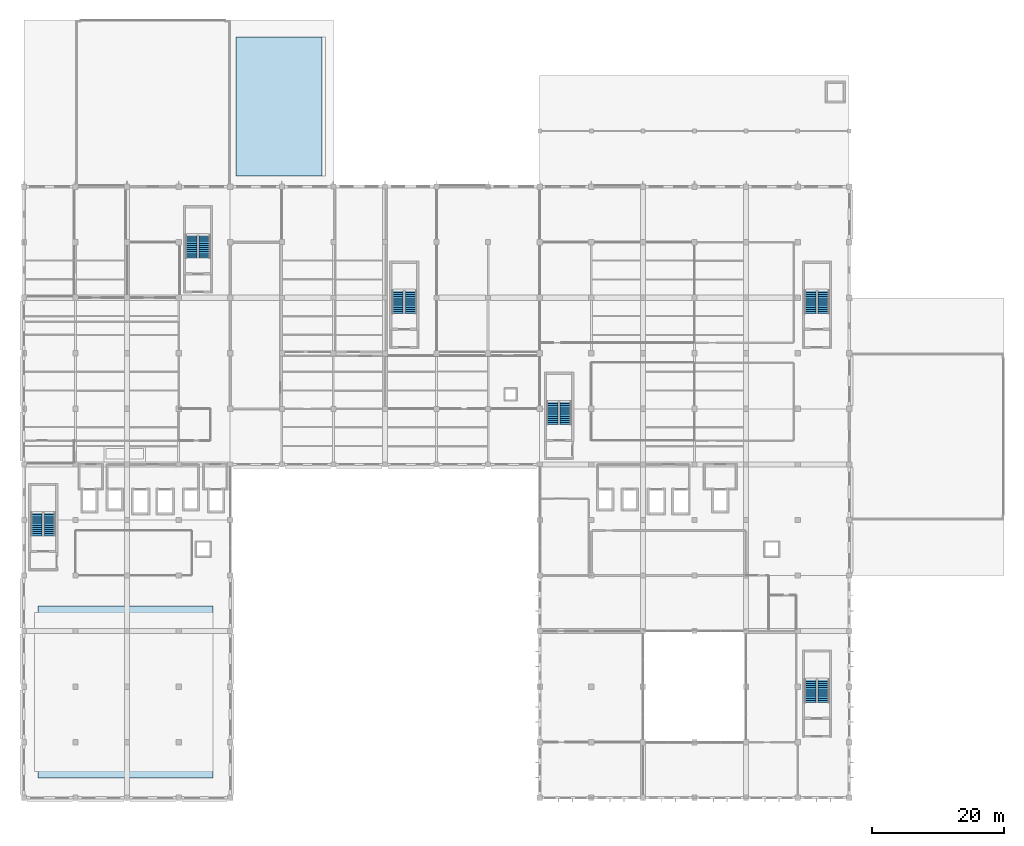
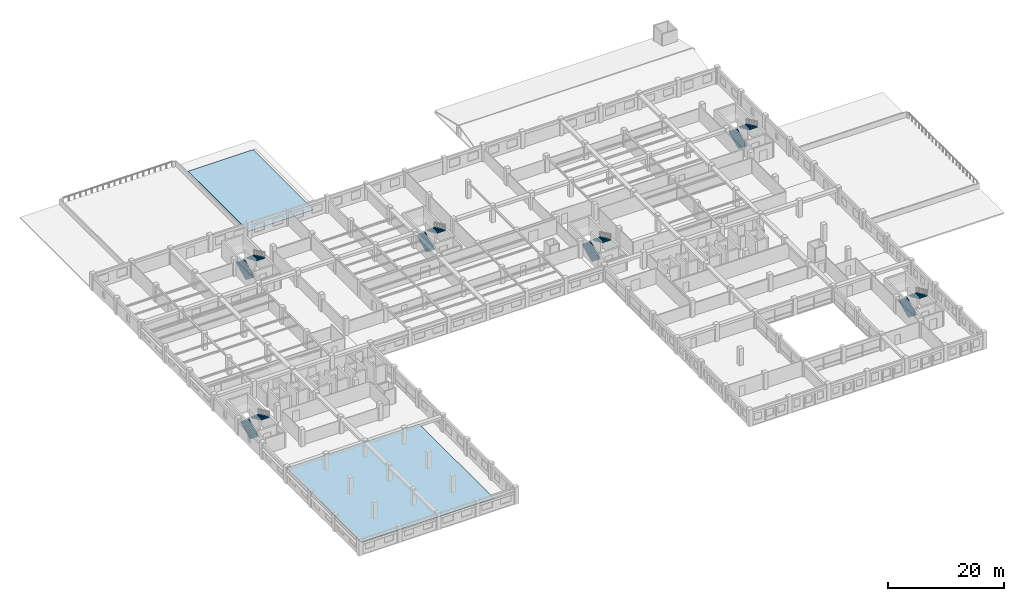
# One storey, part 47 of 50: 12 stair flights, 2 roofs, 6 elements without a shape of their own.
"""IFC4 building model written with IfcOpenShell, lengths in metres."""

from ifc_helpers import new_model, si_unit, direction, frame, origin, place, context, subcontext, project, spatial, polyline, outline, extrude, material, layer, layer_set, type_object, element, aggregate, save


model = new_model("IFC4")

# Units and contexts
model_context = context("Model", 3, precision=1e-05, world=origin(), true_north=direction((0.0, 1.0)))
body_context = subcontext(model_context, "Body", "Model", "MODEL_VIEW")
ifc_project = project(units=[si_unit("LENGTHUNIT", "METRE"), si_unit("AREAUNIT", "SQUARE_METRE"), si_unit("VOLUMEUNIT", "CUBIC_METRE"), si_unit("PLANEANGLEUNIT", "RADIAN"), si_unit("MASSUNIT", "GRAM", prefix="KILO"), si_unit("THERMODYNAMICTEMPERATUREUNIT", "KELVIN"), si_unit("POWERUNIT", "WATT")], contexts=[model_context])

# Site, building, storey
site_placement = place(None, origin())
site = spatial("IfcSite", under=ifc_project, at=site_placement, CompositionType="ELEMENT")
building_placement = place(site_placement, origin())
building = spatial("IfcBuilding", under=site, at=building_placement, Name="Srebrne Nadtorze General Hospital", CompositionType="ELEMENT")
storey_placement = place(building_placement, frame((0.0, 0.0, 14.39990234375)))
storey = spatial("IfcBuildingStorey", under=building, at=storey_placement, Name="L03", CompositionType="ELEMENT", Elevation=14.39990234375)

# Stair, stair flights
ifc_material_1 = material(Name="Concrete C35/45", Category="concrete")
stair_type = type_object("IfcStairType", Name="Dog-leg escape stair 360", PredefinedType="HALF_TURN_STAIR", material=ifc_material_1)
stair_1_placement = place(storey_placement, origin())
stair_1 = element("IfcStair", 1, at=stair_1_placement, inside=storey, type_object=stair_type, Name="Escape stair ST-01-L03", PredefinedType="HALF_TURN_STAIR")
ifc_material_2 = material(Name="Concrete C35/45", Category="concrete")
stair_flight_type = type_object("IfcStairFlightType", Name="Reinforced concrete stair flight 12R", PredefinedType="STRAIGHT", material=ifc_material_2)
stair_flight_1_placement = place(storey_placement, frame((25.300048828125, 39.60009765625, 0.0), z_axis=(0.0, 0.0, 1.0), x_axis=(0.0, 1.0, 0.0)))
stair_flight_1 = element("IfcStairFlight", 2, at=stair_flight_1_placement, type_object=stair_flight_type, Name="ST-01 flight 1", NumberOfRisers=12, NumberOfTreads=11, PredefinedType="STRAIGHT", RiserHeight=0.15, TreadLength=0.32, context=body_context, shape_type="SweptSolid", body=[
    extrude(outline(polyline([(0.0, 0.0), (0.0, 0.14990234375), (0.320068359375, 0.14990234375), (0.320068359375, 0.300048828125), (0.639892578125, 0.300048828125), (0.639892578125, 0.449951171875), (0.9599609375, 0.449951171875), (0.9599609375, 0.60009765625), (1.280029296875, 0.60009765625), (1.280029296875, 0.75), (1.60009765625, 0.75), (1.60009765625, 0.89990234375), (1.919921875, 0.89990234375), (1.919921875, 1.050048828125), (2.239990234375, 1.050048828125), (2.239990234375, 1.199951171875), (2.56005859375, 1.199951171875), (2.56005859375, 1.35009765625), (2.8798828125, 1.35009765625), (2.8798828125, 1.5), (3.199951171875, 1.5), (3.199951171875, 1.64990234375), (3.52001953125, 1.64990234375), (3.52001953125, 1.800048828125), (3.52001953125, 1.451171875), (0.423828125, 0.0), (0.0, 0.0)])), frame((0.0, 0.85009765625, 0.0), z_axis=(0.0, -1.0, 0.0), x_axis=(1.0, 0.0, 0.0)), (0.0, 0.0, 1.0), 1.699951171875),
])
stair_flight_2_placement = place(storey_placement, frame((27.35009765625, 43.1201171875, 1.800048828125), z_axis=(0.0, 0.0, 1.0), x_axis=(0.0, -1.0, 0.0)))
stair_flight_2 = element("IfcStairFlight", 3, at=stair_flight_2_placement, type_object=stair_flight_type, Name="ST-01 flight 2", NumberOfRisers=12, NumberOfTreads=11, PredefinedType="STRAIGHT", RiserHeight=0.15, TreadLength=0.32, context=body_context, shape_type="SweptSolid", body=[
    extrude(outline(polyline([(0.0, 0.0), (0.0, 0.14990234375), (0.320068359375, 0.14990234375), (0.320068359375, 0.300048828125), (0.639892578125, 0.300048828125), (0.639892578125, 0.449951171875), (0.9599609375, 0.449951171875), (0.9599609375, 0.60009765625), (1.280029296875, 0.60009765625), (1.280029296875, 0.75), (1.60009765625, 0.75), (1.60009765625, 0.89990234375), (1.919921875, 0.89990234375), (1.919921875, 1.050048828125), (2.239990234375, 1.050048828125), (2.239990234375, 1.199951171875), (2.56005859375, 1.199951171875), (2.56005859375, 1.35009765625), (2.8798828125, 1.35009765625), (2.8798828125, 1.5), (3.199951171875, 1.5), (3.199951171875, 1.64990234375), (3.52001953125, 1.64990234375), (3.52001953125, 1.800048828125), (3.52001953125, 1.451171875), (0.423828125, 0.0), (0.0, 0.0)])), frame((0.0, 0.85009765625, 0.0), z_axis=(0.0, -1.0, 0.0), x_axis=(1.0, 0.0, 0.0)), (0.0, 0.0, 1.0), 1.699951171875),
])
aggregate(stair_1, [stair_flight_1, stair_flight_2])

stair_2_placement = place(storey_placement, origin())
stair_2 = element("IfcStair", 4, at=stair_2_placement, inside=storey, type_object=stair_type, Name="Escape stair ST-02-L03", PredefinedType="HALF_TURN_STAIR")
stair_flight_3_placement = place(storey_placement, frame((48.699951171875, 81.60009765625, 0.0), z_axis=(0.0, 0.0, 1.0), x_axis=(0.0, 1.0, 0.0)))
stair_flight_3 = element("IfcStairFlight", 5, at=stair_flight_3_placement, type_object=stair_flight_type, Name="ST-02 flight 1", NumberOfRisers=12, NumberOfTreads=11, PredefinedType="STRAIGHT", RiserHeight=0.15, TreadLength=0.32, context=body_context, shape_type="SweptSolid", body=[
    extrude(outline(polyline([(0.0, 0.0), (0.0, 0.14990234375), (0.320068359375, 0.14990234375), (0.320068359375, 0.300048828125), (0.639892578125, 0.300048828125), (0.639892578125, 0.449951171875), (0.9599609375, 0.449951171875), (0.9599609375, 0.60009765625), (1.280029296875, 0.60009765625), (1.280029296875, 0.75), (1.60009765625, 0.75), (1.60009765625, 0.89990234375), (1.919921875, 0.89990234375), (1.919921875, 1.050048828125), (2.239990234375, 1.050048828125), (2.239990234375, 1.199951171875), (2.56005859375, 1.199951171875), (2.56005859375, 1.35009765625), (2.8798828125, 1.35009765625), (2.8798828125, 1.5), (3.199951171875, 1.5), (3.199951171875, 1.64990234375), (3.52001953125, 1.64990234375), (3.52001953125, 1.800048828125), (3.52001953125, 1.451171875), (0.423828125, 0.0), (0.0, 0.0)])), frame((0.0, 0.85009765625, 0.0), z_axis=(0.0, -1.0, 0.0), x_axis=(1.0, 0.0, 0.0)), (0.0, 0.0, 1.0), 1.699951171875),
])
stair_flight_4_placement = place(storey_placement, frame((50.75, 85.1201171875, 1.800048828125), z_axis=(0.0, 0.0, 1.0), x_axis=(0.0, -1.0, 0.0)))
stair_flight_4 = element("IfcStairFlight", 6, at=stair_flight_4_placement, type_object=stair_flight_type, Name="ST-02 flight 2", NumberOfRisers=12, NumberOfTreads=11, PredefinedType="STRAIGHT", RiserHeight=0.15, TreadLength=0.32, context=body_context, shape_type="SweptSolid", body=[
    extrude(outline(polyline([(0.0, 0.0), (0.0, 0.14990234375), (0.320068359375, 0.14990234375), (0.320068359375, 0.300048828125), (0.639892578125, 0.300048828125), (0.639892578125, 0.449951171875), (0.9599609375, 0.449951171875), (0.9599609375, 0.60009765625), (1.280029296875, 0.60009765625), (1.280029296875, 0.75), (1.60009765625, 0.75), (1.60009765625, 0.89990234375), (1.919921875, 0.89990234375), (1.919921875, 1.050048828125), (2.239990234375, 1.050048828125), (2.239990234375, 1.199951171875), (2.56005859375, 1.199951171875), (2.56005859375, 1.35009765625), (2.8798828125, 1.35009765625), (2.8798828125, 1.5), (3.199951171875, 1.5), (3.199951171875, 1.64990234375), (3.52001953125, 1.64990234375), (3.52001953125, 1.800048828125), (3.52001953125, 1.451171875), (0.423828125, 0.0), (0.0, 0.0)])), frame((0.0, 0.85009765625, 0.0), z_axis=(0.0, -1.0, 0.0), x_axis=(1.0, 0.0, 0.0)), (0.0, 0.0, 1.0), 1.699951171875),
])
aggregate(stair_2, [stair_flight_3, stair_flight_4])

stair_3_placement = place(storey_placement, origin())
stair_3 = element("IfcStair", 7, at=stair_3_placement, inside=storey, type_object=stair_type, Name="Escape stair ST-03-L03", PredefinedType="HALF_TURN_STAIR")
stair_flight_5_placement = place(storey_placement, frame((103.300048828125, 56.39990234375, 0.0), z_axis=(0.0, 0.0, 1.0), x_axis=(0.0, 1.0, 0.0)))
stair_flight_5 = element("IfcStairFlight", 8, at=stair_flight_5_placement, type_object=stair_flight_type, Name="ST-03 flight 1", NumberOfRisers=12, NumberOfTreads=11, PredefinedType="STRAIGHT", RiserHeight=0.15, TreadLength=0.32, context=body_context, shape_type="SweptSolid", body=[
    extrude(outline(polyline([(0.0, 0.0), (0.0, 0.14990234375), (0.320068359375, 0.14990234375), (0.320068359375, 0.300048828125), (0.639892578125, 0.300048828125), (0.639892578125, 0.449951171875), (0.9599609375, 0.449951171875), (0.9599609375, 0.60009765625), (1.280029296875, 0.60009765625), (1.280029296875, 0.75), (1.60009765625, 0.75), (1.60009765625, 0.89990234375), (1.919921875, 0.89990234375), (1.919921875, 1.050048828125), (2.239990234375, 1.050048828125), (2.239990234375, 1.199951171875), (2.56005859375, 1.199951171875), (2.56005859375, 1.35009765625), (2.8798828125, 1.35009765625), (2.8798828125, 1.5), (3.199951171875, 1.5), (3.199951171875, 1.64990234375), (3.52001953125, 1.64990234375), (3.52001953125, 1.800048828125), (3.52001953125, 1.451171875), (0.423828125, 0.0), (0.0, 0.0)])), frame((0.0, 0.85009765625, 0.0), z_axis=(0.0, -1.0, 0.0), x_axis=(1.0, 0.0, 0.0)), (0.0, 0.0, 1.0), 1.699951171875),
])
stair_flight_6_placement = place(storey_placement, frame((105.35009765625, 59.919921875, 1.800048828125), z_axis=(0.0, 0.0, 1.0), x_axis=(0.0, -1.0, 0.0)))
stair_flight_6 = element("IfcStairFlight", 9, at=stair_flight_6_placement, type_object=stair_flight_type, Name="ST-03 flight 2", NumberOfRisers=12, NumberOfTreads=11, PredefinedType="STRAIGHT", RiserHeight=0.15, TreadLength=0.32, context=body_context, shape_type="SweptSolid", body=[
    extrude(outline(polyline([(0.0, 0.0), (0.0, 0.14990234375), (0.320068359375, 0.14990234375), (0.320068359375, 0.300048828125), (0.639892578125, 0.300048828125), (0.639892578125, 0.449951171875), (0.9599609375, 0.449951171875), (0.9599609375, 0.60009765625), (1.280029296875, 0.60009765625), (1.280029296875, 0.75), (1.60009765625, 0.75), (1.60009765625, 0.89990234375), (1.919921875, 0.89990234375), (1.919921875, 1.050048828125), (2.239990234375, 1.050048828125), (2.239990234375, 1.199951171875), (2.56005859375, 1.199951171875), (2.56005859375, 1.35009765625), (2.8798828125, 1.35009765625), (2.8798828125, 1.5), (3.199951171875, 1.5), (3.199951171875, 1.64990234375), (3.52001953125, 1.64990234375), (3.52001953125, 1.800048828125), (3.52001953125, 1.451171875), (0.423828125, 0.0), (0.0, 0.0)])), frame((0.0, 0.85009765625, 0.0), z_axis=(0.0, -1.0, 0.0), x_axis=(1.0, 0.0, 0.0)), (0.0, 0.0, 1.0), 1.699951171875),
])
aggregate(stair_3, [stair_flight_5, stair_flight_6])

stair_4_placement = place(storey_placement, origin())
stair_4 = element("IfcStair", 10, at=stair_4_placement, inside=storey, type_object=stair_type, Name="Escape stair ST-04-L03", PredefinedType="HALF_TURN_STAIR")
stair_flight_7_placement = place(storey_placement, frame((142.300048828125, 73.199951171875, 0.0), z_axis=(0.0, 0.0, 1.0), x_axis=(0.0, 1.0, 0.0)))
stair_flight_7 = element("IfcStairFlight", 11, at=stair_flight_7_placement, type_object=stair_flight_type, Name="ST-04 flight 1", NumberOfRisers=12, NumberOfTreads=11, PredefinedType="STRAIGHT", RiserHeight=0.15, TreadLength=0.32, context=body_context, shape_type="SweptSolid", body=[
    extrude(outline(polyline([(0.0, 0.0), (0.0, 0.14990234375), (0.320068359375, 0.14990234375), (0.320068359375, 0.300048828125), (0.639892578125, 0.300048828125), (0.639892578125, 0.449951171875), (0.9599609375, 0.449951171875), (0.9599609375, 0.60009765625), (1.280029296875, 0.60009765625), (1.280029296875, 0.75), (1.60009765625, 0.75), (1.60009765625, 0.89990234375), (1.919921875, 0.89990234375), (1.919921875, 1.050048828125), (2.239990234375, 1.050048828125), (2.239990234375, 1.199951171875), (2.56005859375, 1.199951171875), (2.56005859375, 1.35009765625), (2.8798828125, 1.35009765625), (2.8798828125, 1.5), (3.199951171875, 1.5), (3.199951171875, 1.64990234375), (3.52001953125, 1.64990234375), (3.52001953125, 1.800048828125), (3.52001953125, 1.451171875), (0.423828125, 0.0), (0.0, 0.0)])), frame((0.0, 0.85009765625, 0.0), z_axis=(0.0, -1.0, 0.0), x_axis=(1.0, 0.0, 0.0)), (0.0, 0.0, 1.0), 1.699951171875),
])
stair_flight_8_placement = place(storey_placement, frame((144.35009765625, 76.719970703125, 1.800048828125), z_axis=(0.0, 0.0, 1.0), x_axis=(0.0, -1.0, 0.0)))
stair_flight_8 = element("IfcStairFlight", 12, at=stair_flight_8_placement, type_object=stair_flight_type, Name="ST-04 flight 2", NumberOfRisers=12, NumberOfTreads=11, PredefinedType="STRAIGHT", RiserHeight=0.15, TreadLength=0.32, context=body_context, shape_type="SweptSolid", body=[
    extrude(outline(polyline([(0.0, 0.0), (0.0, 0.14990234375), (0.320068359375, 0.14990234375), (0.320068359375, 0.300048828125), (0.639892578125, 0.300048828125), (0.639892578125, 0.449951171875), (0.9599609375, 0.449951171875), (0.9599609375, 0.60009765625), (1.280029296875, 0.60009765625), (1.280029296875, 0.75), (1.60009765625, 0.75), (1.60009765625, 0.89990234375), (1.919921875, 0.89990234375), (1.919921875, 1.050048828125), (2.239990234375, 1.050048828125), (2.239990234375, 1.199951171875), (2.56005859375, 1.199951171875), (2.56005859375, 1.35009765625), (2.8798828125, 1.35009765625), (2.8798828125, 1.5), (3.199951171875, 1.5), (3.199951171875, 1.64990234375), (3.52001953125, 1.64990234375), (3.52001953125, 1.800048828125), (3.52001953125, 1.451171875), (0.423828125, 0.0), (0.0, 0.0)])), frame((0.0, 0.85009765625, 0.0), z_axis=(0.0, -1.0, 0.0), x_axis=(1.0, 0.0, 0.0)), (0.0, 0.0, 1.0), 1.699951171875),
])
aggregate(stair_4, [stair_flight_7, stair_flight_8])

stair_5_placement = place(storey_placement, origin())
stair_5 = element("IfcStair", 13, at=stair_5_placement, inside=storey, type_object=stair_type, Name="Escape stair ST-07-L03", PredefinedType="HALF_TURN_STAIR")
stair_flight_9_placement = place(storey_placement, frame((79.89990234375, 73.199951171875, 0.0), z_axis=(0.0, 0.0, 1.0), x_axis=(0.0, 1.0, 0.0)))
stair_flight_9 = element("IfcStairFlight", 14, at=stair_flight_9_placement, type_object=stair_flight_type, Name="ST-07 flight 1", NumberOfRisers=12, NumberOfTreads=11, PredefinedType="STRAIGHT", RiserHeight=0.15, TreadLength=0.32, context=body_context, shape_type="SweptSolid", body=[
    extrude(outline(polyline([(0.0, 0.0), (0.0, 0.14990234375), (0.320068359375, 0.14990234375), (0.320068359375, 0.300048828125), (0.639892578125, 0.300048828125), (0.639892578125, 0.449951171875), (0.9599609375, 0.449951171875), (0.9599609375, 0.60009765625), (1.280029296875, 0.60009765625), (1.280029296875, 0.75), (1.60009765625, 0.75), (1.60009765625, 0.89990234375), (1.919921875, 0.89990234375), (1.919921875, 1.050048828125), (2.239990234375, 1.050048828125), (2.239990234375, 1.199951171875), (2.56005859375, 1.199951171875), (2.56005859375, 1.35009765625), (2.8798828125, 1.35009765625), (2.8798828125, 1.5), (3.199951171875, 1.5), (3.199951171875, 1.64990234375), (3.52001953125, 1.64990234375), (3.52001953125, 1.800048828125), (3.52001953125, 1.451171875), (0.423828125, 0.0), (0.0, 0.0)])), frame((0.0, 0.85009765625, 0.0), z_axis=(0.0, -1.0, 0.0), x_axis=(1.0, 0.0, 0.0)), (0.0, 0.0, 1.0), 1.699951171875),
])
stair_flight_10_placement = place(storey_placement, frame((81.949951171875, 76.719970703125, 1.800048828125), z_axis=(0.0, 0.0, 1.0), x_axis=(0.0, -1.0, 0.0)))
stair_flight_10 = element("IfcStairFlight", 15, at=stair_flight_10_placement, type_object=stair_flight_type, Name="ST-07 flight 2", NumberOfRisers=12, NumberOfTreads=11, PredefinedType="STRAIGHT", RiserHeight=0.15, TreadLength=0.32, context=body_context, shape_type="SweptSolid", body=[
    extrude(outline(polyline([(0.0, 0.0), (0.0, 0.14990234375), (0.320068359375, 0.14990234375), (0.320068359375, 0.300048828125), (0.639892578125, 0.300048828125), (0.639892578125, 0.449951171875), (0.9599609375, 0.449951171875), (0.9599609375, 0.60009765625), (1.280029296875, 0.60009765625), (1.280029296875, 0.75), (1.60009765625, 0.75), (1.60009765625, 0.89990234375), (1.919921875, 0.89990234375), (1.919921875, 1.050048828125), (2.239990234375, 1.050048828125), (2.239990234375, 1.199951171875), (2.56005859375, 1.199951171875), (2.56005859375, 1.35009765625), (2.8798828125, 1.35009765625), (2.8798828125, 1.5), (3.199951171875, 1.5), (3.199951171875, 1.64990234375), (3.52001953125, 1.64990234375), (3.52001953125, 1.800048828125), (3.52001953125, 1.451171875), (0.423828125, 0.0), (0.0, 0.0)])), frame((0.0, 0.85009765625, 0.0), z_axis=(0.0, -1.0, 0.0), x_axis=(1.0, 0.0, 0.0)), (0.0, 0.0, 1.0), 1.699951171875),
])
aggregate(stair_5, [stair_flight_9, stair_flight_10])

stair_6_placement = place(storey_placement, origin())
stair_6 = element("IfcStair", 16, at=stair_6_placement, inside=storey, type_object=stair_type, Name="Escape stair ST-08-L03", PredefinedType="HALF_TURN_STAIR")
stair_flight_11_placement = place(storey_placement, frame((142.300048828125, 14.39990234375, 0.0), z_axis=(0.0, 0.0, 1.0), x_axis=(0.0, 1.0, 0.0)))
stair_flight_11 = element("IfcStairFlight", 17, at=stair_flight_11_placement, type_object=stair_flight_type, Name="ST-08 flight 1", NumberOfRisers=12, NumberOfTreads=11, PredefinedType="STRAIGHT", RiserHeight=0.15, TreadLength=0.32, context=body_context, shape_type="SweptSolid", body=[
    extrude(outline(polyline([(0.0, 0.0), (0.0, 0.14990234375), (0.320068359375, 0.14990234375), (0.320068359375, 0.300048828125), (0.639892578125, 0.300048828125), (0.639892578125, 0.449951171875), (0.9599609375, 0.449951171875), (0.9599609375, 0.60009765625), (1.280029296875, 0.60009765625), (1.280029296875, 0.75), (1.60009765625, 0.75), (1.60009765625, 0.89990234375), (1.919921875, 0.89990234375), (1.919921875, 1.050048828125), (2.239990234375, 1.050048828125), (2.239990234375, 1.199951171875), (2.56005859375, 1.199951171875), (2.56005859375, 1.35009765625), (2.8798828125, 1.35009765625), (2.8798828125, 1.5), (3.199951171875, 1.5), (3.199951171875, 1.64990234375), (3.52001953125, 1.64990234375), (3.52001953125, 1.800048828125), (3.52001953125, 1.451171875), (0.423828125, 0.0), (0.0, 0.0)])), frame((0.0, 0.85009765625, 0.0), z_axis=(0.0, -1.0, 0.0), x_axis=(1.0, 0.0, 0.0)), (0.0, 0.0, 1.0), 1.699951171875),
])
stair_flight_12_placement = place(storey_placement, frame((144.35009765625, 17.919921875, 1.800048828125), z_axis=(0.0, 0.0, 1.0), x_axis=(0.0, -1.0, 0.0)))
stair_flight_12 = element("IfcStairFlight", 18, at=stair_flight_12_placement, type_object=stair_flight_type, Name="ST-08 flight 2", NumberOfRisers=12, NumberOfTreads=11, PredefinedType="STRAIGHT", RiserHeight=0.15, TreadLength=0.32, context=body_context, shape_type="SweptSolid", body=[
    extrude(outline(polyline([(0.0, 0.0), (0.0, 0.14990234375), (0.320068359375, 0.14990234375), (0.320068359375, 0.300048828125), (0.639892578125, 0.300048828125), (0.639892578125, 0.449951171875), (0.9599609375, 0.449951171875), (0.9599609375, 0.60009765625), (1.280029296875, 0.60009765625), (1.280029296875, 0.75), (1.60009765625, 0.75), (1.60009765625, 0.89990234375), (1.919921875, 0.89990234375), (1.919921875, 1.050048828125), (2.239990234375, 1.050048828125), (2.239990234375, 1.199951171875), (2.56005859375, 1.199951171875), (2.56005859375, 1.35009765625), (2.8798828125, 1.35009765625), (2.8798828125, 1.5), (3.199951171875, 1.5), (3.199951171875, 1.64990234375), (3.52001953125, 1.64990234375), (3.52001953125, 1.800048828125), (3.52001953125, 1.451171875), (0.423828125, 0.0), (0.0, 0.0)])), frame((0.0, 0.85009765625, 0.0), z_axis=(0.0, -1.0, 0.0), x_axis=(1.0, 0.0, 0.0)), (0.0, 0.0, 1.0), 1.699951171875),
])
aggregate(stair_6, [stair_flight_11, stair_flight_12])

# Roofs
ifc_material_3 = material(Name="EPDM Waterproofing Membrane")
ifc_layer = layer(ifc_material_3, 0.06005859375)
ifc_layer_set = layer_set([ifc_layer], Name="EPDM Waterproofing Membrane")
roof_type = type_object("IfcRoofType", Name="Warm inverted flat roof membrane assembly", PredefinedType="FLAT_ROOF", material=ifc_layer_set)
roof_1_placement = place(storey_placement, origin())
element("IfcRoof", 19, at=roof_1_placement, inside=storey, type_object=roof_type, Name="Warm roof assembly RM-L03-WS1", PredefinedType="FLAT_ROOF", context=body_context, shape_type="SweptSolid", body=[
    extrude(outline(polyline([(25.5, 3.0), (52.0, 3.0), (52.0, 29.0), (25.5, 29.0), (25.5, 3.0)])), origin(), (0.0, 0.0, 1.0), 0.06005859375),
])
roof_2_placement = place(storey_placement, origin())
element("IfcRoof", 20, at=roof_2_placement, inside=storey, type_object=roof_type, Name="Warm roof assembly RM-L03-NW1", PredefinedType="FLAT_ROOF", context=body_context, shape_type="SweptSolid", body=[
    extrude(outline(polyline([(55.5, 94.0), (68.5, 94.0), (68.5, 115.0), (55.5, 115.0), (55.5, 94.0)])), origin(), (0.0, 0.0, 1.0), 0.06005859375),
])

save(model, "model.ifc")
